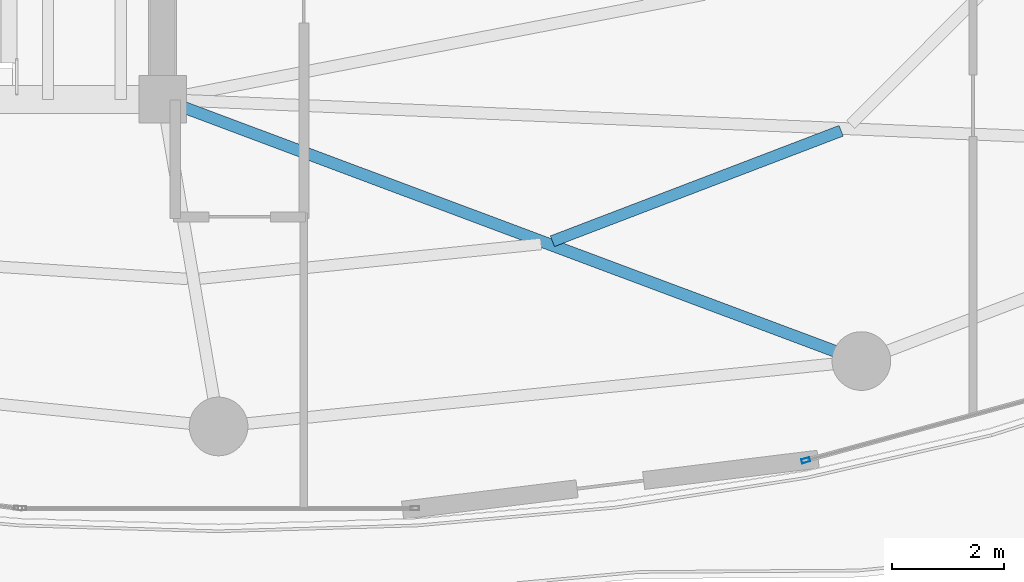
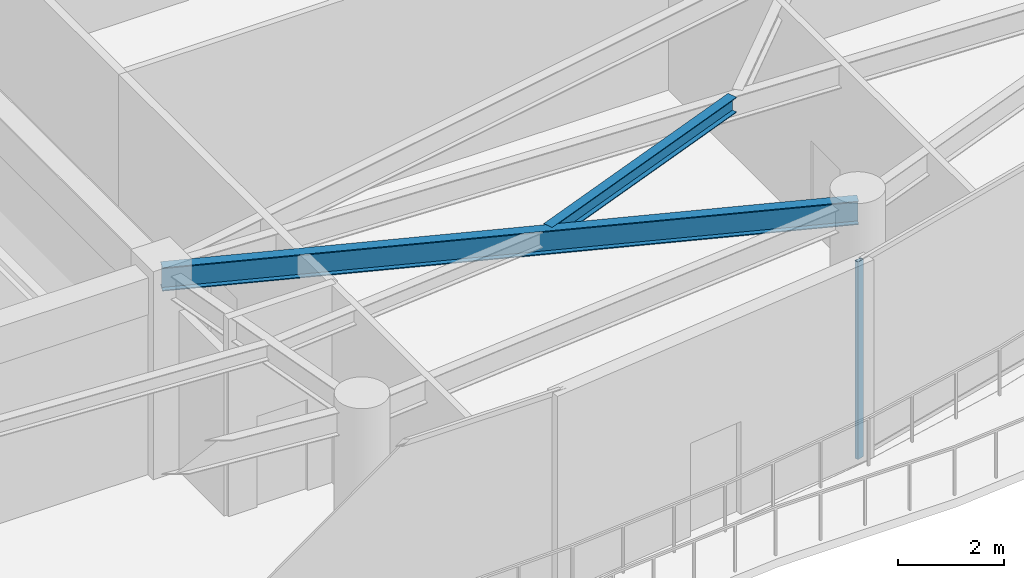
# One storey, part 10 of 28: 2 beams, 1 member, 1 element without a shape of its own.
"""IFC4 building model written with IfcOpenShell, lengths in metres."""

from ifc_helpers import new_model, si_unit, direction, frame, origin, origin_2d, place, context, subcontext, project, spatial, hollow_rectangle, i_section, extrude, material, layer, layer_set, material_profile, profile_set, type_object, element, aggregate, save


model = new_model("IFC4")

# Units and contexts
model_context = context("Model", 3, precision=1e-05, world=origin(), true_north=direction((0.0, 1.0)))
body_context = subcontext(model_context, "Body", "Model", "MODEL_VIEW")
ifc_project = project(units=[si_unit("LENGTHUNIT", "METRE"), si_unit("AREAUNIT", "SQUARE_METRE"), si_unit("VOLUMEUNIT", "CUBIC_METRE"), si_unit("PLANEANGLEUNIT", "RADIAN"), si_unit("MASSUNIT", "GRAM", prefix="KILO")], contexts=[model_context])

# Site, building, storey
site_placement = place(None, origin())
site = spatial("IfcSite", under=ifc_project, at=site_placement, CompositionType="ELEMENT")
building_placement = place(site_placement, origin())
building = spatial("IfcBuilding", under=site, at=building_placement, Name="Kazevale Care Tower and Concert Hall", CompositionType="ELEMENT")
storey_placement = place(building_placement, frame((0.0, 0.0, 190.800048828125)))
storey = spatial("IfcBuildingStorey", under=building, at=storey_placement, Name="L50", CompositionType="ELEMENT", Elevation=190.800048828125)

# Curtain wall, member
ifc_material_1 = material(Name="Aluminium 6063-T6 and Low-E Glass", Category="aluminium")
ifc_layer = layer(ifc_material_1, 0.179931640625)
ifc_layer_set = layer_set([ifc_layer], Name="Aluminium 6063-T6 and Low-E Glass")
curtain_wall_type = type_object("IfcCurtainWallType", Name="Sheltered Concave Balcony Curtain Wall CW-5", PredefinedType="NOTDEFINED", material=ifc_layer_set)
curtain_wall_placement = place(storey_placement, origin())
curtain_wall = element("IfcCurtainWall", 1, at=curtain_wall_placement, inside=storey, type_object=curtain_wall_type, Name="cw:L50:f04", PredefinedType="NOTDEFINED")
ifc_material_2 = material(Name="Aluminium 6063-T6", Category="aluminium")
ifc_material_profile_1 = material_profile(ifc_material_2, hollow_rectangle(XDim=0.074951171875, YDim=0.14990234375, WallThickness=0.00390625, at=origin_2d()), Name="ALU75x150x4")
ifc_profile_set_1 = profile_set([ifc_material_profile_1], Name="Aluminium 6063-T6")
member_type = type_object("IfcMemberType", Name="CW-5 Mullion ALU75x150x4", PredefinedType="MULLION", material=ifc_profile_set_1)
member_placement = place(storey_placement, frame((55.505126953125, 17.142822265625, 0.0), z_axis=(0.0, 0.0, 1.0), x_axis=(0.262848968947, -0.964836991167, 0.0)))
member = element("IfcMember", 2, at=member_placement, type_object=member_type, Name="CW-5 mullion 2", PredefinedType="MULLION", context=body_context, shape_type="SweptSolid", body=[
    extrude(hollow_rectangle(XDim=0.074951171875, YDim=0.14990234375, WallThickness=0.00390625, at=origin_2d()), origin(), (0.0, 0.0, 1.0), 4.56005859375),
])
aggregate(curtain_wall, [member])

# Beams
ifc_material_3 = material(Name="Steel ASTM A572 Gr 50", Category="steel")
ifc_material_profile_2 = material_profile(ifc_material_3, i_section(OverallWidth=0.2119140625, OverallDepth=0.5439453125, WebThickness=0.01318359375, FlangeThickness=0.021240234375, at=origin_2d()), Name="W530x123")
ifc_profile_set_2 = profile_set([ifc_material_profile_2], Name="Steel ASTM A572 Gr 50")
beam_type_1 = type_object("IfcBeamType", Name="Radial Floor Girder W530x123", PredefinedType="BEAM", material=ifc_profile_set_2)
beam_1_placement = place(storey_placement, frame((44.0, 23.60009765625, 4.287841796875), z_axis=(0.936509460339, -0.350642311615, 0.0), x_axis=(0.350642311615, 0.936509460339, 0.0)))
element("IfcBeam", 3, at=beam_1_placement, inside=storey, type_object=beam_type_1, Name="beam:L50:rad:14", PredefinedType="BEAM", context=body_context, shape_type="SweptSolid", body=[
    extrude(i_section(OverallWidth=0.2119140625, OverallDepth=0.5439453125, WebThickness=0.01318359375, FlangeThickness=0.021240234375, at=origin_2d()), origin(), (0.0, 0.0, 1.0), 13.347412109375),
])
ifc_material_profile_3 = material_profile(ifc_material_3, i_section(OverallWidth=0.205078125, OverallDepth=0.35400390625, WebThickness=0.009521484375, FlangeThickness=0.016845703125, at=origin_2d()), Name="W360x79")
ifc_profile_set_3 = profile_set([ifc_material_profile_3], Name="Steel ASTM A572 Gr 50")
beam_type_2 = type_object("IfcBeamType", Name="Secondary Floor Joist W360x79", PredefinedType="JOIST", material=ifc_profile_set_3)
beam_2_placement = place(storey_placement, frame((50.972900390625, 21.06396484375, 4.383056640625), z_axis=(0.934001589337, 0.35726884991, 0.0), x_axis=(-0.35726884991, 0.934001589337, 0.0)))
element("IfcBeam", 4, at=beam_2_placement, inside=storey, type_object=beam_type_2, Name="beam:L50:joist:14", PredefinedType="JOIST", context=body_context, shape_type="SweptSolid", body=[
    extrude(i_section(OverallWidth=0.205078125, OverallDepth=0.35400390625, WebThickness=0.009521484375, FlangeThickness=0.016845703125, at=origin_2d()), origin(), (0.0, 0.0, 1.0), 5.531005859375),
])

save(model, "model.ifc")
